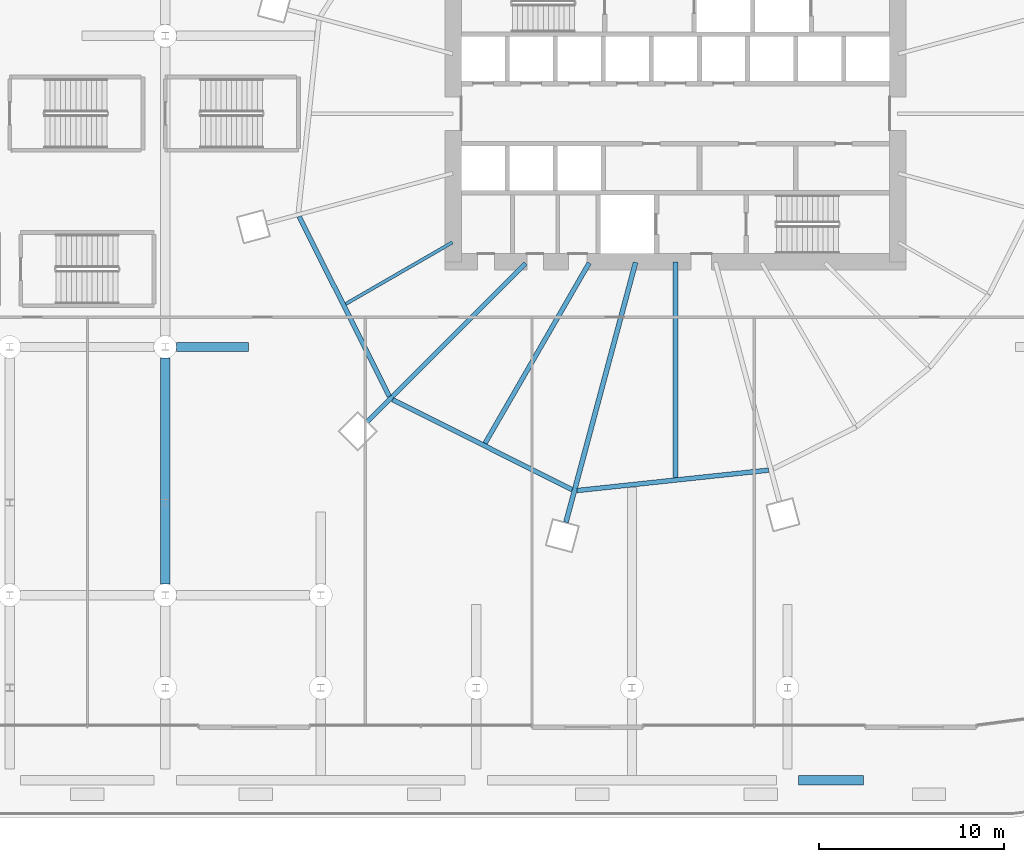
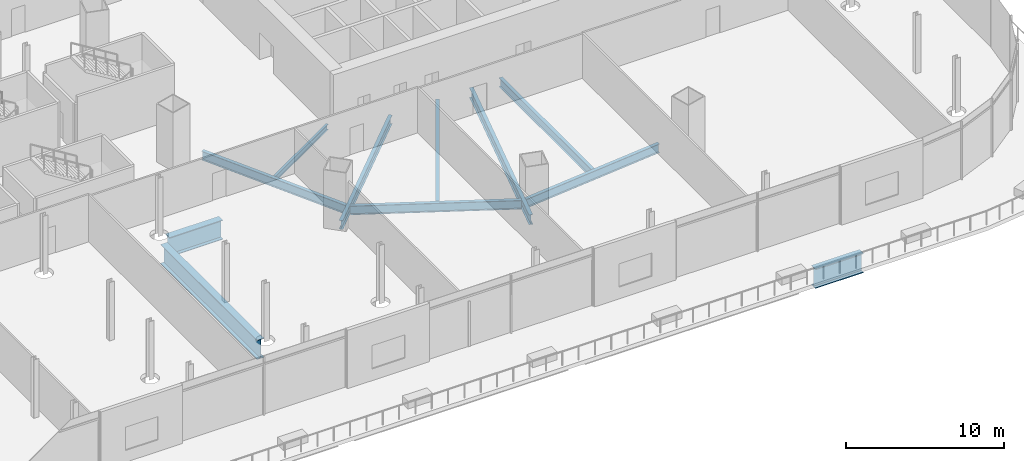
# One storey, part 22 of 56: 11 beams.
"""IFC4 building model written with IfcOpenShell, lengths in metres."""

from ifc_helpers import new_model, si_unit, direction, frame, origin, origin_2d, place, context, subcontext, project, spatial, i_section, extrude, material, material_profile, profile_set, type_object, element, save


model = new_model("IFC4")

# Units and contexts
model_context = context("Model", 3, precision=1e-05, world=origin(), true_north=direction((0.0, 1.0)))
body_context = subcontext(model_context, "Body", "Model", "MODEL_VIEW")
ifc_project = project(units=[si_unit("LENGTHUNIT", "METRE"), si_unit("AREAUNIT", "SQUARE_METRE"), si_unit("VOLUMEUNIT", "CUBIC_METRE"), si_unit("PLANEANGLEUNIT", "RADIAN"), si_unit("MASSUNIT", "GRAM", prefix="KILO")], contexts=[model_context])

# Site, building, storey
site_placement = place(None, origin())
site = spatial("IfcSite", under=ifc_project, at=site_placement, CompositionType="ELEMENT")
building_placement = place(site_placement, origin())
building = spatial("IfcBuilding", under=site, at=building_placement, Name="Rimbun Link Towers", CompositionType="ELEMENT")
storey_placement = place(building_placement, frame((0.0, 0.0, 16.5)))
storey = spatial("IfcBuildingStorey", under=building, at=storey_placement, Name="L03", CompositionType="ELEMENT", Elevation=16.5)

# Beams
ifc_material_1 = material(Name="Steel S355J2", Category="steel")
ifc_material_profile_1 = material_profile(ifc_material_1, i_section(OverallWidth=0.5, OverallDepth=1.5, WebThickness=0.030029296875, FlangeThickness=0.050048828125, at=origin_2d()), Name="PG 1500x500x30/50")
ifc_profile_set_1 = profile_set([ifc_material_profile_1], Name="Steel S355J2")
beam_type_1 = type_object("IfcBeamType", Name="PG 1500x500x30/50", PredefinedType="BEAM", material=ifc_profile_set_1)
beam_1_placement = place(storey_placement, frame((38.39990234375, -36.0, -1.050048828125), z_axis=(1.0, 0.0, 0.0), x_axis=(0.0, 1.0, 0.0)))
element("IfcBeam", 1, at=beam_1_placement, inside=storey, type_object=beam_type_1, Name="Grid beam L03 -36.0", PredefinedType="BEAM", context=body_context, shape_type="SweptSolid", body=[
    extrude(i_section(OverallWidth=0.5, OverallDepth=1.5, WebThickness=0.030029296875, FlangeThickness=0.050048828125, at=origin_2d()), origin(), (0.0, 0.0, 1.0), 3.5),
])
beam_2_placement = place(storey_placement, frame((4.800048828125, -12.60009765625, -1.050048828125), z_axis=(1.0, 0.0, 0.0), x_axis=(0.0, 1.0, 0.0)))
element("IfcBeam", 2, at=beam_2_placement, inside=storey, type_object=beam_type_1, Name="Grid beam L03 -12.6", PredefinedType="BEAM", context=body_context, shape_type="SweptSolid", body=[
    extrude(i_section(OverallWidth=0.5, OverallDepth=1.5, WebThickness=0.030029296875, FlangeThickness=0.050048828125, at=origin_2d()), origin(), (0.0, 0.0, 1.0), 3.89990234375),
])
beam_3_placement = place(storey_placement, frame((4.199951171875, -25.39990234375, -1.050048828125), z_axis=(0.0, 1.0, 0.0), x_axis=(-1.0, 0.0, 0.0)))
element("IfcBeam", 3, at=beam_3_placement, inside=storey, type_object=beam_type_1, Name="Grid beam L03 +4.2", PredefinedType="BEAM", context=body_context, shape_type="SweptSolid", body=[
    extrude(i_section(OverallWidth=0.5, OverallDepth=1.5, WebThickness=0.030029296875, FlangeThickness=0.050048828125, at=origin_2d()), origin(), (0.0, 0.0, 1.0), 12.199951171875),
])
ifc_material_2 = material(Name="Steel S355J2", Category="steel")
ifc_material_profile_2 = material_profile(ifc_material_2, i_section(OverallWidth=0.177978515625, OverallDepth=0.406494140625, WebThickness=0.0078125, FlangeThickness=0.0126953125, at=origin_2d()), Name="UB 406x178x60")
ifc_profile_set_2 = profile_set([ifc_material_profile_2], Name="Steel S355J2")
beam_type_2 = type_object("IfcBeamType", Name="UB 406x178x60", PredefinedType="BEAM", material=ifc_profile_set_2)
beam_4_placement = place(storey_placement, frame((19.70458984375, -6.954345703125, -0.503173828125), z_axis=(-0.866016262799, -0.500015832317, 0.0), x_axis=(0.500015832317, -0.866016262799, 0.0)))
element("IfcBeam", 4, at=beam_4_placement, inside=storey, type_object=beam_type_2, Name="Radial beam T2 L03 11", PredefinedType="BEAM", context=body_context, shape_type="SweptSolid", body=[
    extrude(i_section(OverallWidth=0.177978515625, OverallDepth=0.406494140625, WebThickness=0.0078125, FlangeThickness=0.0126953125, at=origin_2d()), origin(), (0.0, 0.0, 1.0), 6.651123046875),
])
ifc_material_3 = material(Name="Steel S355J2", Category="steel")
ifc_material_profile_3 = material_profile(ifc_material_3, i_section(OverallWidth=0.253662109375, OverallDepth=0.68359375, WebThickness=0.012451171875, FlangeThickness=0.01904296875, at=origin_2d()), Name="UB 686x254x140")
ifc_profile_set_3 = profile_set([ifc_material_profile_3], Name="Steel S355J2")
beam_type_3 = type_object("IfcBeamType", Name="UB 686x254x140", PredefinedType="BEAM", material=ifc_profile_set_3)
beam_5_placement = place(storey_placement, frame((23.65966796875, -8.09033203125, -0.641845703125), z_axis=(-0.707106781187, -0.707106781187, 0.0), x_axis=(0.707106781187, -0.707106781187, 0.0)))
element("IfcBeam", 5, at=beam_5_placement, inside=storey, type_object=beam_type_3, Name="Radial beam T2 L03 12", PredefinedType="BEAM", context=body_context, shape_type="SweptSolid", body=[
    extrude(i_section(OverallWidth=0.253662109375, OverallDepth=0.68359375, WebThickness=0.012451171875, FlangeThickness=0.01904296875, at=origin_2d()), origin(), (0.0, 0.0, 1.0), 12.0712890625),
])
beam_6_placement = place(storey_placement, frame((27.093994140625, -8.064208984375, -0.641845703125), z_axis=(-0.499995511288, -0.866027995328, 0.0), x_axis=(0.866027995328, -0.499995511288, 0.0)))
element("IfcBeam", 6, at=beam_6_placement, inside=storey, type_object=beam_type_3, Name="Radial beam T2 L03 13", PredefinedType="BEAM", context=body_context, shape_type="SweptSolid", body=[
    extrude(i_section(OverallWidth=0.253662109375, OverallDepth=0.68359375, WebThickness=0.012451171875, FlangeThickness=0.01904296875, at=origin_2d()), origin(), (0.0, 0.0, 1.0), 11.248046875),
])
beam_7_placement = place(storey_placement, frame((31.75, -8.0009765625, -0.641845703125), z_axis=(0.0, -1.0, 0.0), x_axis=(1.0, 0.0, 0.0)))
element("IfcBeam", 7, at=beam_7_placement, inside=storey, type_object=beam_type_3, Name="Radial beam T2 L03 15", PredefinedType="BEAM", context=body_context, shape_type="SweptSolid", body=[
    extrude(i_section(OverallWidth=0.253662109375, OverallDepth=0.68359375, WebThickness=0.012451171875, FlangeThickness=0.01904296875, at=origin_2d()), origin(), (0.0, 0.0, 1.0), 11.65771484375),
])
beam_8_placement = place(storey_placement, frame((11.429931640625, -5.55419921875, -0.641845703125), z_axis=(0.448516294104, -0.893774655002, 0.0), x_axis=(0.893774655002, 0.448516294104, 0.0)))
element("IfcBeam", 8, at=beam_8_placement, inside=storey, type_object=beam_type_3, Name="Edge beam T2 L03 10-12", PredefinedType="BEAM", context=body_context, shape_type="SweptSolid", body=[
    extrude(i_section(OverallWidth=0.253662109375, OverallDepth=0.68359375, WebThickness=0.012451171875, FlangeThickness=0.01904296875, at=origin_2d()), origin(), (0.0, 0.0, 1.0), 10.865966796875),
])
beam_9_placement = place(storey_placement, frame((16.484130859375, -15.446533203125, -0.641845703125), z_axis=(0.893777409404, -0.448510805264, 0.0), x_axis=(0.448510805264, 0.893777409404, 0.0)))
element("IfcBeam", 9, at=beam_9_placement, inside=storey, type_object=beam_type_3, Name="Edge beam T2 L03 12-14", PredefinedType="BEAM", context=body_context, shape_type="SweptSolid", body=[
    extrude(i_section(OverallWidth=0.253662109375, OverallDepth=0.68359375, WebThickness=0.012451171875, FlangeThickness=0.01904296875, at=origin_2d()), origin(), (0.0, 0.0, 1.0), 10.836669921875),
])
beam_10_placement = place(storey_placement, frame((26.435302734375, -20.353271484375, -0.641845703125), z_axis=(0.994376453373, 0.105903111275, 0.0), x_axis=(-0.105903111275, 0.994376453373, 0.0)))
element("IfcBeam", 10, at=beam_10_placement, inside=storey, type_object=beam_type_3, Name="Edge beam T2 L03 14-16", PredefinedType="BEAM", context=body_context, shape_type="SweptSolid", body=[
    extrude(i_section(OverallWidth=0.253662109375, OverallDepth=0.68359375, WebThickness=0.012451171875, FlangeThickness=0.01904296875, at=origin_2d()), origin(), (0.0, 0.0, 1.0), 10.3994140625),
])
ifc_material_4 = material(Name="Steel S355J2", Category="steel")
ifc_material_profile_4 = material_profile(ifc_material_4, i_section(OverallWidth=0.2666015625, OverallDepth=0.76220703125, WebThickness=0.014404296875, FlangeThickness=0.021484375, at=origin_2d()), Name="UB 762x267x173")
ifc_profile_set_4 = profile_set([ifc_material_profile_4], Name="Steel S355J2")
beam_type_4 = type_object("IfcBeamType", Name="UB 762x267x173", PredefinedType="BEAM", material=ifc_profile_set_4)
beam_11_placement = place(storey_placement, frame((29.596923828125, -8.035400390625, -0.68115234375), z_axis=(-0.25882261837, -0.965924868828, 0.0), x_axis=(0.965924868828, -0.25882261837, 0.0)))
element("IfcBeam", 11, at=beam_11_placement, inside=storey, type_object=beam_type_4, Name="Radial beam T2 L03 14", PredefinedType="BEAM", context=body_context, shape_type="SweptSolid", body=[
    extrude(i_section(OverallWidth=0.2666015625, OverallDepth=0.76220703125, WebThickness=0.014404296875, FlangeThickness=0.021484375, at=origin_2d()), origin(), (0.0, 0.0, 1.0), 14.525390625),
])

save(model, "model.ifc")
